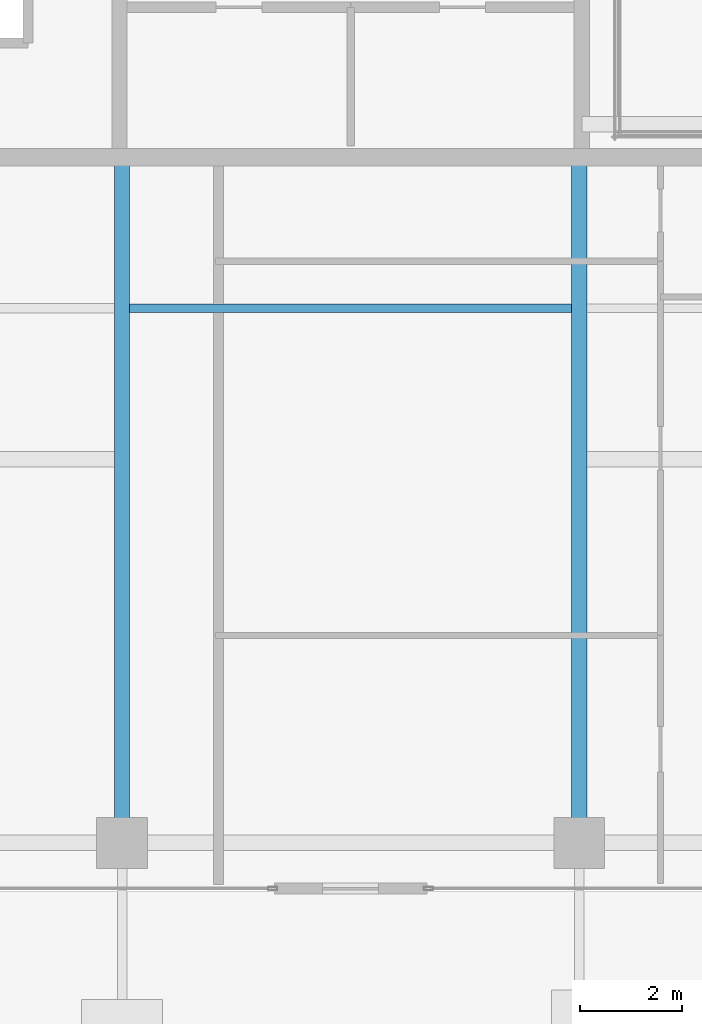
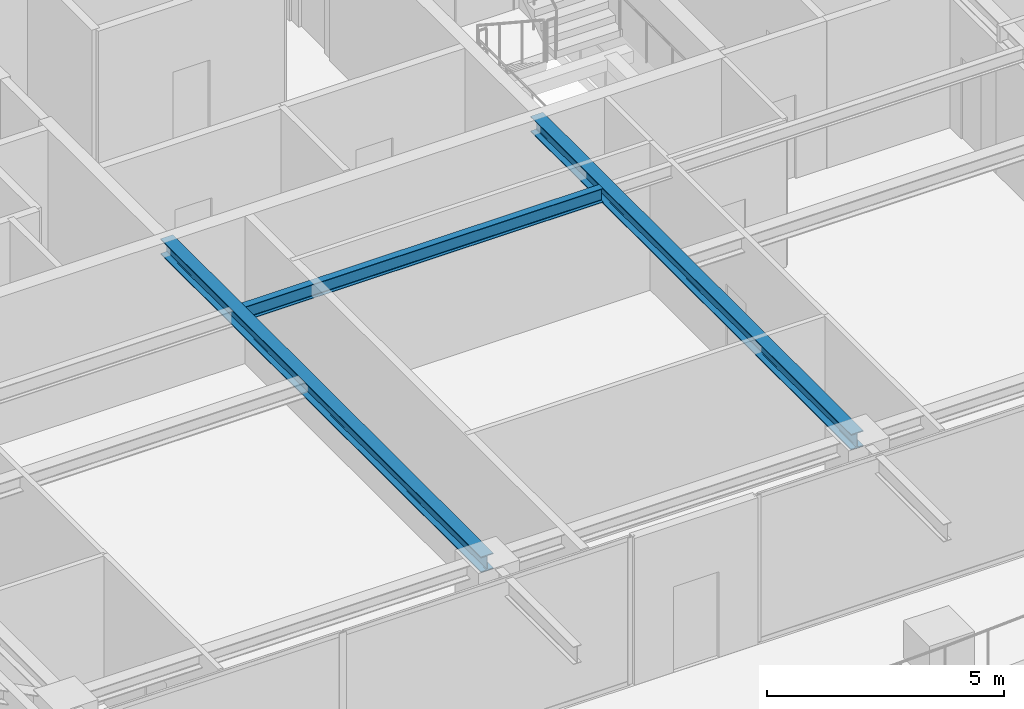
# One storey, part 7 of 42: 3 beams.
"""IFC4 building model written with IfcOpenShell, lengths in metres."""

import ifcopenshell
import ifcopenshell.guid

model = None  # the IFC model being written
_history = None  # IfcOwnerHistory: only IFC2X3 demands one
_inside = {}  # id of a spatial element -> (the spatial element, [elements in it])
_under = {}  # id of a project, library or spatial element -> (it, [spatial elements below it])
_declared = {}  # id of a project -> (the project, [libraries it declares])
_typed = {}  # id of a type object -> (the type object, [elements of that type])
_made_of = {}  # id of a material, layer set ... -> (it, [elements and type objects made of it])


def new_model(schema):
    """Start an empty IFC model of exactly this schema.

    Asked for "IFC4X3", IfcOpenShell would pick the latest addendum, in which some entities
    have other attributes; the version numbers below select the first issue.
    IFC2X3 requires an IfcOwnerHistory on every rooted entity: one is made here for all.
    """
    global model, _history
    if schema == "IFC4X3":
        model = ifcopenshell.file(schema_version=(4, 3, 0, 0))
    else:
        model = ifcopenshell.file(schema=schema)
    _inside.clear()
    _under.clear()
    _declared.clear()
    _typed.clear()
    _made_of.clear()
    _history = None
    if model.schema == "IFC2X3":
        org = make("IfcOrganization", Name="unknown")
        user = make(
            "IfcPersonAndOrganization",
            ThePerson=make("IfcPerson", FamilyName="unknown"),
            TheOrganization=org,
        )
        app = make(
            "IfcApplication",
            ApplicationDeveloper=org,
            Version="unknown",
            ApplicationFullName="unknown",
            ApplicationIdentifier="unknown",
        )
        _history = make(
            "IfcOwnerHistory",
            OwningUser=user,
            OwningApplication=app,
            ChangeAction="ADDED",
            CreationDate=0,
        )
    return model


def make(cls, **values):
    """One entity of the class cls with the attributes given. An attribute that is None is left unset."""
    return model.create_entity(
        cls, **{name: value for name, value in values.items() if value is not None}
    )


def rooted(cls, **values):
    """An entity with a GlobalId (a new one), such as an element, a storey or a relation."""
    return make(cls, GlobalId=ifcopenshell.guid.new(), OwnerHistory=_history, **values)


def si_unit(unit_type, name, prefix=None):
    """IfcSIUnit, for example si_unit("LENGTHUNIT", "METRE", prefix="MILLI")."""
    return make("IfcSIUnit", UnitType=unit_type, Prefix=prefix, Name=name)


def assignment(units):
    """IfcUnitAssignment: the units of a project."""
    return None if units is None else make("IfcUnitAssignment", Units=units)


def point(xyz):
    """IfcCartesianPoint."""
    return None if xyz is None else make("IfcCartesianPoint", Coordinates=xyz)


def direction(xyz):
    """IfcDirection."""
    return None if xyz is None else make("IfcDirection", DirectionRatios=xyz)


def frame(location, z_axis=None, x_axis=None):
    """IfcAxis2Placement3D, a coordinate frame: its origin and axes. An axis left out is left unset."""
    return make(
        "IfcAxis2Placement3D",
        Location=point(location),
        Axis=direction(z_axis),
        RefDirection=direction(x_axis),
    )


def frame_2d(location, x_axis=None):
    """IfcAxis2Placement2D, a coordinate frame in the plane: its origin and x axis."""
    return make(
        "IfcAxis2Placement2D", Location=point(location), RefDirection=direction(x_axis)
    )


def origin():
    """The frame at (0, 0, 0) with its axes left unset."""
    return frame((0.0, 0.0, 0.0))


def origin_2d():
    """The frame at (0, 0) in the plane with its x axis left unset."""
    return frame_2d((0.0, 0.0))


def place(relative_to, where):
    """IfcLocalPlacement: puts the frame where relative to a parent placement (None: the world)."""
    return make(
        "IfcLocalPlacement", PlacementRelTo=relative_to, RelativePlacement=where
    )


def context(
    kind, dimensions, precision=None, world=None, true_north=None, identifier=None
):
    """IfcGeometricRepresentationContext, for example the 3D "Model" context."""
    return make(
        "IfcGeometricRepresentationContext",
        ContextIdentifier=identifier,
        ContextType=kind,
        CoordinateSpaceDimension=dimensions,
        Precision=precision,
        WorldCoordinateSystem=world,
        TrueNorth=true_north,
    )


def subcontext(parent, identifier, kind, view, scale=None):
    """IfcGeometricRepresentationSubContext, for example "Body" below "Model"."""
    return make(
        "IfcGeometricRepresentationSubContext",
        ContextIdentifier=identifier,
        ContextType=kind,
        ParentContext=parent,
        TargetScale=scale,
        TargetView=view,
    )


def project(units=None, contexts=None):
    """IfcProject with its units and contexts."""
    return rooted(
        "IfcProject",
        Name="project",
        RepresentationContexts=contexts,
        UnitsInContext=assignment(units),
    )


def spatial(cls, under=None, at=None, **own):
    """A site, building, storey or space (cls), placed at a placement, below another one or the project."""
    s = rooted(cls, ObjectPlacement=at, **own)
    if under is not None:
        _under.setdefault(under.id(), (under, []))[1].append(s)
    return s


def profile(cls, at=None, kind="AREA", **sizes):
    """A parametric profile (cls). Its sizes go by their IFC names, for example OverallWidth=200.0."""
    return make(cls, ProfileType=kind, Position=at, **sizes)


def i_section(**sizes):
    """IfcIShapeProfileDef."""
    return profile("IfcIShapeProfileDef", **sizes)


def extrude(swept, where, along, depth):
    """IfcExtrudedAreaSolid: the profile swept, set in the frame where, extruded along a direction by depth."""
    return make(
        "IfcExtrudedAreaSolid",
        SweptArea=swept,
        Position=where,
        ExtrudedDirection=direction(along),
        Depth=depth,
    )


def shape(context_of_items, identifier, shape_type, items):
    """IfcShapeRepresentation: the items that make up one representation, for example the "Body"."""
    return make(
        "IfcShapeRepresentation",
        ContextOfItems=context_of_items,
        RepresentationIdentifier=identifier,
        RepresentationType=shape_type,
        Items=items,
    )


def source(mapping_origin, context_of_items, identifier, shape_type, items):
    """IfcRepresentationMap: a shape defined once, which mapped items show again and again."""
    return make(
        "IfcRepresentationMap",
        MappingOrigin=mapping_origin,
        MappedRepresentation=shape(context_of_items, identifier, shape_type, items),
    )


def transform(
    local_origin,
    x_axis=None,
    y_axis=None,
    z_axis=None,
    scale=None,
    scale2=None,
    scale3=None,
    uniform=True,
):
    """IfcCartesianTransformationOperator3D, or its non-uniform kind. x_axis, y_axis, z_axis: its Axis1, 2, 3."""
    if uniform:
        return make(
            "IfcCartesianTransformationOperator3D",
            Axis1=direction(x_axis),
            Axis2=direction(y_axis),
            LocalOrigin=point(local_origin),
            Scale=scale,
            Axis3=direction(z_axis),
        )
    return make(
        "IfcCartesianTransformationOperator3DnonUniform",
        Axis1=direction(x_axis),
        Axis2=direction(y_axis),
        LocalOrigin=point(local_origin),
        Scale=scale,
        Axis3=direction(z_axis),
        Scale2=scale2,
        Scale3=scale3,
    )


def mapped(mapping_source, mapping_target):
    """IfcMappedItem: shows the shape of a source again, moved by a transform."""
    return make(
        "IfcMappedItem", MappingSource=mapping_source, MappingTarget=mapping_target
    )


def material(Name=None, Category=None):
    """IfcMaterial."""
    return make("IfcMaterial", Name=Name, Category=Category)


def material_profile(
    of_material, cross_section, Name=None, Category=None, Priority=None
):
    """IfcMaterialProfile: a cross section and its material."""
    return make(
        "IfcMaterialProfile",
        Name=Name,
        Material=of_material,
        Profile=cross_section,
        Priority=Priority,
        Category=Category,
    )


def profile_set(profiles, Name=None, composite=None):
    """IfcMaterialProfileSet."""
    return make(
        "IfcMaterialProfileSet",
        Name=Name,
        MaterialProfiles=profiles,
        CompositeProfile=composite,
    )


def made_of(thing, what):
    """Note that an element or type object is made of a material, layer set ...; save() writes the relation."""
    if what is not None:
        _made_of.setdefault(what.id(), (what, []))[1].append(thing)
    return thing


def type_object(cls, material=None, **own):
    """A type object (cls), such as IfcWallType, which elements share."""
    return made_of(rooted(cls, **own), material)


def element(
    cls,
    number,
    at=None,
    inside=None,
    cuts=None,
    type_object=None,
    material=None,
    context=None,
    identifier="Body",
    shape_type=None,
    held_by="IfcProductDefinitionShape",
    body=None,
    shapes=None,
    **own,
):
    """One element of the class cls, such as IfcWall. Its Tag is "e" and its number.

    at: its placement. inside: the storey or other place that contains it. cuts: it is an
    opening in that element (IfcRelVoidsElement). A single representation is given by context,
    identifier, shape_type and body (its items); several are given by shapes. held_by: the class
    of the entity that holds the representations. save() writes the other relations.
    """
    e = rooted(cls, Tag="e%d" % number, ObjectPlacement=at, **own)
    if body is not None:
        shapes = [shape(context, identifier, shape_type, body)]
    if shapes is not None:
        e.Representation = make(held_by, Representations=shapes)
    if inside is not None:
        _inside.setdefault(inside.id(), (inside, []))[1].append(e)
    if cuts is not None:
        rooted(
            "IfcRelVoidsElement", RelatingBuildingElement=cuts, RelatedOpeningElement=e
        )
    if type_object is not None:
        _typed.setdefault(type_object.id(), (type_object, []))[1].append(e)
    return made_of(e, material)


def aggregate(whole, parts):
    """IfcRelAggregates: a whole, such as a stair, and the parts it consists of."""
    return rooted("IfcRelAggregates", RelatingObject=whole, RelatedObjects=parts)


def save(model, path):
    """Write the relations noted so far, then the file.

    IfcRelAggregates (storeys below a building ...), IfcRelContainedInSpatialStructure (elements
    in a storey), IfcRelDefinesByType, IfcRelAssociatesMaterial and IfcRelDeclares: one each for
    every whole, place, type object, material and project.
    """
    for whole, parts in _under.values():
        aggregate(whole, parts)
    for where, things in _inside.values():
        rooted(
            "IfcRelContainedInSpatialStructure",
            RelatedElements=things,
            RelatingStructure=where,
        )
    for kind, things in _typed.values():
        rooted("IfcRelDefinesByType", RelatedObjects=things, RelatingType=kind)
    for what, things in _made_of.values():
        rooted("IfcRelAssociatesMaterial", RelatedObjects=things, RelatingMaterial=what)
    for by, libraries in _declared.values():
        rooted("IfcRelDeclares", RelatingContext=by, RelatedDefinitions=libraries)
    model.write(path)


model = new_model("IFC4")

# Units and contexts
model_context = context("Model", 3, precision=1e-05, world=origin(), true_north=direction((0.0, 1.0)))
body_context = subcontext(model_context, "Body", "Model", "MODEL_VIEW")
ifc_project = project(units=[si_unit("LENGTHUNIT", "METRE"), si_unit("AREAUNIT", "SQUARE_METRE"), si_unit("VOLUMEUNIT", "CUBIC_METRE"), si_unit("PLANEANGLEUNIT", "RADIAN"), si_unit("MASSUNIT", "GRAM", prefix="KILO")], contexts=[model_context])

# Site, building, storey
site_placement = place(None, origin())
site = spatial("IfcSite", under=ifc_project, at=site_placement, CompositionType="ELEMENT")
building_placement = place(site_placement, origin())
building = spatial("IfcBuilding", under=site, at=building_placement, Name="Serunith Strait Residences", CompositionType="ELEMENT")
storey_placement = place(building_placement, frame((0.0, 0.0, 297.5)))
storey = spatial("IfcBuildingStorey", under=building, at=storey_placement, Name="L74", CompositionType="ELEMENT", Elevation=297.5)

# Beams
ifc_material = material(Name="Steel S355J2", Category="steel")
ifc_material_profile_1 = material_profile(ifc_material, i_section(OverallWidth=0.169921875, OverallDepth=0.360107421875, WebThickness=0.008056640625, FlangeThickness=0.0126953125, FilletRadius=0.01806640625, at=origin_2d()), Name="IPE 360")
ifc_profile_set_1 = profile_set([ifc_material_profile_1], Name="Steel S355J2")
beam_type_1 = type_object("IfcBeamType", Name="BM-IPE360", PredefinedType="JOIST", material=ifc_profile_set_1)
shared_shape_1 = source(origin(), body_context, "Body", "SweptSolid", [
    extrude(i_section(OverallWidth=0.169921875, OverallDepth=0.360107421875, WebThickness=0.008056640625, FlangeThickness=0.0126953125, FilletRadius=0.01806640625, at=origin_2d()), origin(), (0.0, 0.0, 1.0), 8.699951171875),
])
beam_placement = place(storey_placement, frame((28.050048828125, 13.824951171875, 3.60693359375), z_axis=(1.0, 0.0, 0.0), x_axis=(0.0, 1.0, 0.0)))
element("IfcBeam", 1, at=beam_placement, inside=storey, type_object=beam_type_1, Name="L74 Composite Floor Joist 02", PredefinedType="JOIST", context=body_context, shape_type="MappedRepresentation", body=[
    mapped(shared_shape_1, transform((0.0, 0.0, 0.0), scale=1.0)),
])
ifc_material_profile_2 = material_profile(ifc_material, i_section(OverallWidth=0.300048828125, OverallDepth=0.39990234375, WebThickness=0.013427734375, FlangeThickness=0.02392578125, FilletRadius=0.027099609375, at=origin_2d()), Name="HEB 400")
ifc_profile_set_2 = profile_set([ifc_material_profile_2], Name="Steel S355J2")
beam_type_2 = type_object("IfcBeamType", Name="BM-HEB400", PredefinedType="BEAM", material=ifc_profile_set_2)
shared_shape_2 = source(origin(), body_context, "Body", "SweptSolid", [
    extrude(i_section(OverallWidth=0.300048828125, OverallDepth=0.39990234375, WebThickness=0.013427734375, FlangeThickness=0.02392578125, FilletRadius=0.027099609375, at=origin_2d()), origin(), (0.0, 0.0, 1.0), 13.5),
])
for number, where, z_axis, x_axis, name in (
    (2, (27.89990234375, 16.800048828125, 3.5869140625), (0.0, -1.0, 0.0), (1.0, 0.0, 0.0), "L74 Primary Floor Girder TC-S2"),
    (3, (36.89990234375, 16.800048828125, 3.5869140625), (0.0, -1.0, 0.0), (1.0, 0.0, 0.0), "L74 Primary Floor Girder TC-S3"),
):
    element("IfcBeam", number, at=place(storey_placement, frame(where, z_axis=z_axis, x_axis=x_axis)), inside=storey, type_object=beam_type_2, Name=name, PredefinedType="BEAM", context=body_context, shape_type="MappedRepresentation", body=[
        mapped(shared_shape_2, transform((0.0, 0.0, 0.0), scale=1.0)),
    ])

save(model, "model.ifc")
